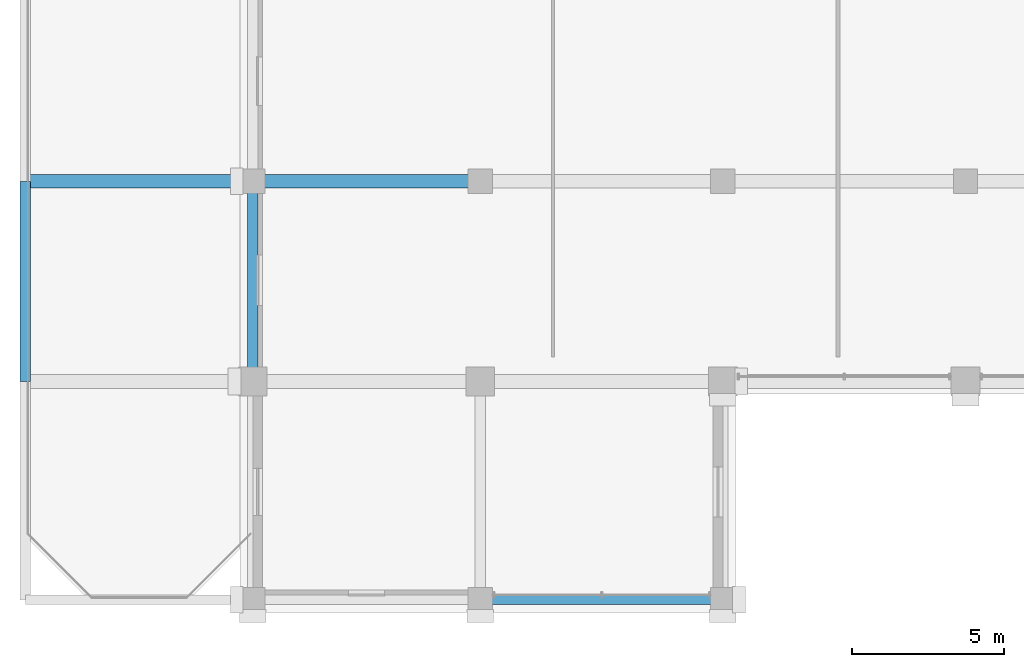
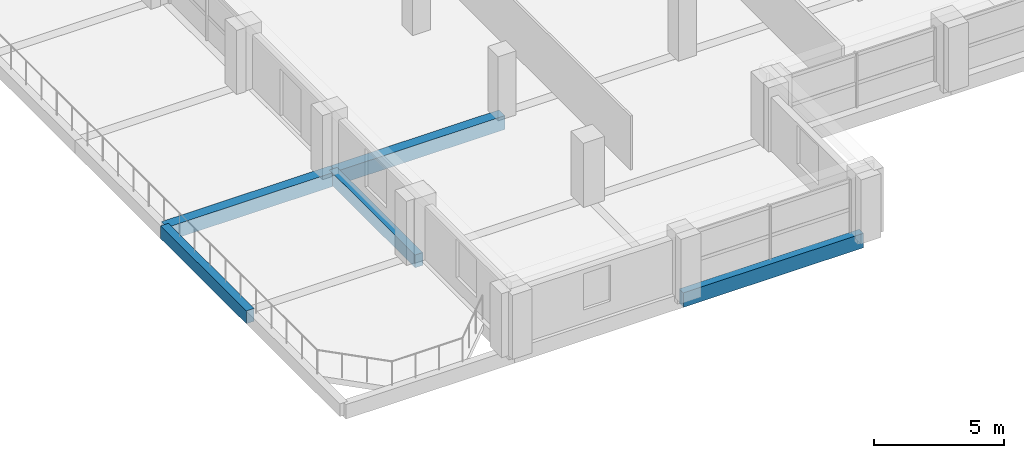
# One storey, part 3 of 22: 5 beams.
"""IFC4 building model written with IfcOpenShell, lengths in metres."""

from ifc_helpers import new_model, si_unit, direction, frame, origin, origin_2d, place, context, subcontext, project, spatial, rectangle, extrude, material, material_profile, profile_set, type_object, element, save


model = new_model("IFC4")

# Units and contexts
model_context = context("Model", 3, precision=1e-05, world=origin(), true_north=direction((0.0, 1.0)))
body_context = subcontext(model_context, "Body", "Model", "MODEL_VIEW")
ifc_project = project(units=[si_unit("LENGTHUNIT", "METRE"), si_unit("AREAUNIT", "SQUARE_METRE"), si_unit("VOLUMEUNIT", "CUBIC_METRE"), si_unit("PLANEANGLEUNIT", "RADIAN"), si_unit("MASSUNIT", "GRAM", prefix="KILO")], contexts=[model_context])

# Site, building, storey
site_placement = place(None, origin())
site = spatial("IfcSite", under=ifc_project, at=site_placement, CompositionType="ELEMENT")
building_placement = place(site_placement, origin())
building = spatial("IfcBuilding", under=site, at=building_placement, Name="Akrevak Sports Hall", CompositionType="ELEMENT")
storey_placement = place(building_placement, frame((0.0, 0.0, 40.550048828125)))
storey = spatial("IfcBuildingStorey", under=building, at=storey_placement, Name="L09", CompositionType="ELEMENT", Elevation=40.550048828125)

# Beams
ifc_material = material(Name="Concrete C40/50", Category="concrete")
ifc_material_profile_1 = material_profile(ifc_material, rectangle(XDim=0.35009765625, YDim=0.60009765625, at=origin_2d()), Name="BM 350x600", Category="concrete")
ifc_profile_set_1 = profile_set([ifc_material_profile_1], Name="Concrete C40/50")
beam_type_1 = type_object("IfcBeamType", Name="STR-BM-RC350x600", PredefinedType="BEAM", material=ifc_profile_set_1)
for number, where, z_axis, x_axis, name in (
    (1, (45.0, 28.800048828125, -0.300048828125), (0.0, 1.0, 0.0), (-1.0, 0.0, 0.0), "Girder 7/E-F (L09)"),
    (2, (52.5, 28.800048828125, -0.300048828125), (0.0, 1.0, 0.0), (-1.0, 0.0, 0.0), "Girder 8/E-F (L09)"),
):
    element("IfcBeam", number, at=place(storey_placement, frame(where, z_axis=z_axis, x_axis=x_axis)), inside=storey, type_object=beam_type_1, Name=name, PredefinedType="BEAM", context=body_context, shape_type="SweptSolid", body=[
        extrude(rectangle(XDim=0.35009765625, YDim=0.60009765625, at=origin_2d()), origin(), (0.0, 0.0, 1.0), 6.599853515625),
    ])
ifc_material_profile_2 = material_profile(ifc_material, rectangle(XDim=0.449951171875, YDim=0.64990234375, at=origin_2d()), Name="BM 450x650", Category="concrete")
ifc_profile_set_2 = profile_set([ifc_material_profile_2], Name="Concrete C40/50")
beam_type_2 = type_object("IfcBeamType", Name="STR-BM-RC450x650", PredefinedType="BEAM", material=ifc_profile_set_2)
for number, where, z_axis, x_axis, name in (
    (3, (45.0, 35.39990234375, -0.324951171875), (1.0, 0.0, 0.0), (0.0, 1.0, 0.0), "Girder F/7-8 (L09)"),
    (4, (52.5, 35.39990234375, -0.324951171875), (1.0, 0.0, 0.0), (0.0, 1.0, 0.0), "Girder F/8-9 (L09)"),
):
    element("IfcBeam", number, at=place(storey_placement, frame(where, z_axis=z_axis, x_axis=x_axis)), inside=storey, type_object=beam_type_2, Name=name, PredefinedType="BEAM", context=body_context, shape_type="SweptSolid", body=[
        extrude(rectangle(XDim=0.449951171875, YDim=0.64990234375, at=origin_2d()), origin(), (0.0, 0.0, 1.0), 7.5),
    ])
ifc_material_profile_3 = material_profile(ifc_material, rectangle(XDim=0.320068359375, YDim=0.679931640625, at=origin_2d()), Name="SPD 320x680", Category="concrete")
ifc_profile_set_3 = profile_set([ifc_material_profile_3], Name="Concrete C40/50")
beam_type_3 = type_object("IfcBeamType", Name="STR-SPD-RC320x680", PredefinedType="SPANDREL", material=ifc_profile_set_3)
beam_placement = place(storey_placement, frame((60.0, 21.60009765625, -0.340087890625), z_axis=(1.0, 0.0, 0.0), x_axis=(0.0, 1.0, 0.0)))
element("IfcBeam", 5, at=beam_placement, inside=storey, type_object=beam_type_3, Name="Girder D/9-10 (L09)", PredefinedType="SPANDREL", context=body_context, shape_type="SweptSolid", body=[
    extrude(rectangle(XDim=0.320068359375, YDim=0.679931640625, at=origin_2d()), origin(), (0.0, 0.0, 1.0), 8.0),
])

save(model, "model.ifc")
